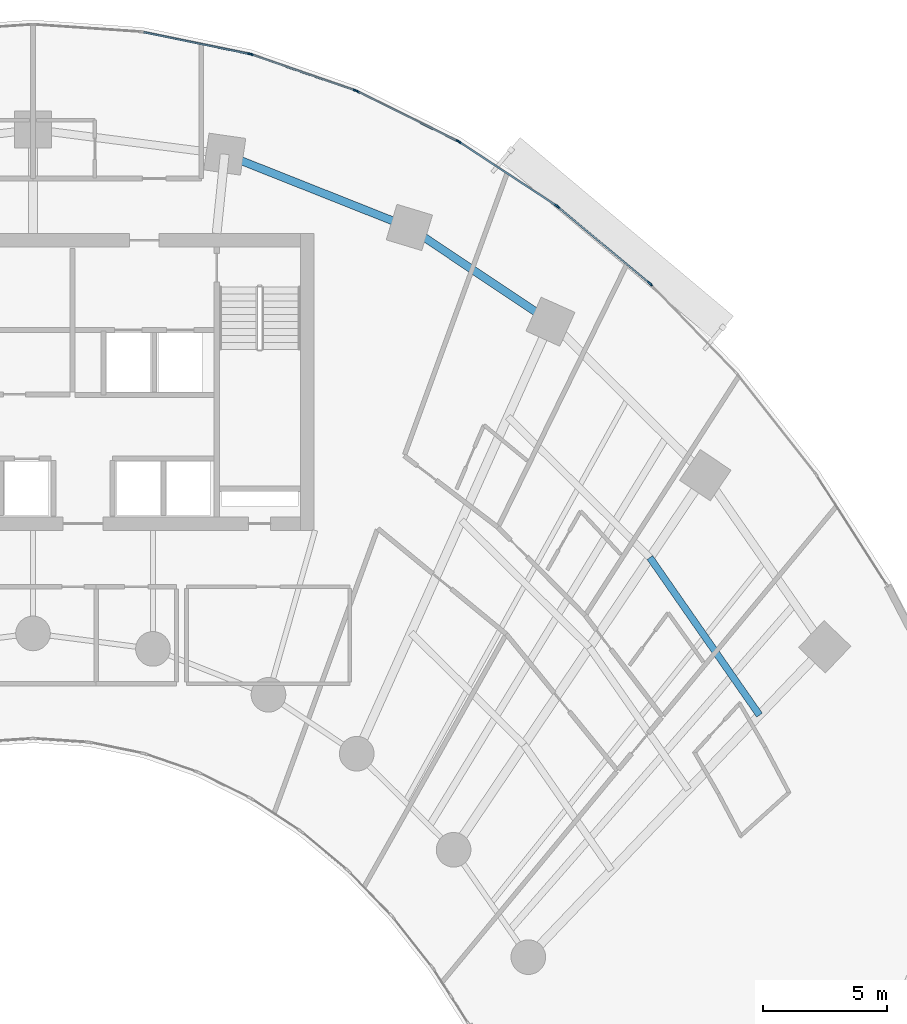
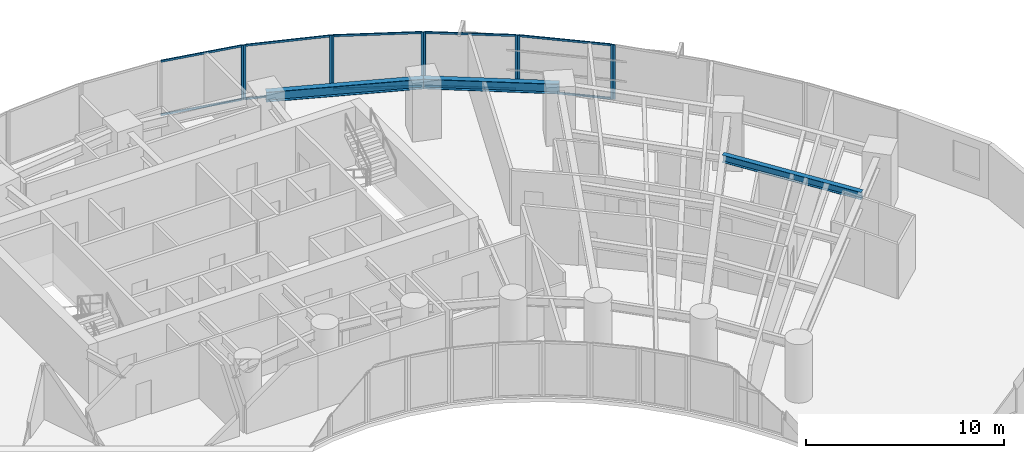
# One storey, part 7 of 17: 20 members, 3 beams, 6 elements without a shape of their own.
"""IFC4 building model written with IfcOpenShell, lengths in metres."""

from ifc_helpers import new_model, si_unit, direction, frame, origin, origin_2d, place, context, subcontext, project, spatial, rectangle, i_section, extrude, source, transform, mapped, material, layer, layer_set, material_profile, profile_set, type_object, element, aggregate, save


model = new_model("IFC4")

# Units and contexts
model_context = context("Model", 3, precision=1e-05, world=origin(), true_north=direction((0.0, 1.0)))
body_context = subcontext(model_context, "Body", "Model", "MODEL_VIEW")
ifc_project = project(units=[si_unit("LENGTHUNIT", "METRE"), si_unit("AREAUNIT", "SQUARE_METRE"), si_unit("VOLUMEUNIT", "CUBIC_METRE"), si_unit("PLANEANGLEUNIT", "RADIAN"), si_unit("MASSUNIT", "GRAM", prefix="KILO")], contexts=[model_context])

# Site, building, storey
site_placement = place(None, origin())
site = spatial("IfcSite", under=ifc_project, at=site_placement, CompositionType="ELEMENT")
building_placement = place(site_placement, origin())
building = spatial("IfcBuilding", under=site, at=building_placement, Name="Breltana Convention Tower", CompositionType="ELEMENT")
storey_placement = place(building_placement, frame((0.0, 0.0, 60.60009765625)))
storey = spatial("IfcBuildingStorey", under=building, at=storey_placement, Name="L13", CompositionType="ELEMENT", Elevation=60.60009765625)

# Beams
ifc_material_1 = material(Name="Steel ASTM A992 Grade 50", Category="steel")
ifc_material_profile_1 = material_profile(ifc_material_1, i_section(OverallWidth=0.323974609375, OverallDepth=0.611083984375, WebThickness=0.0126953125, FlangeThickness=0.01904296875, at=origin_2d()), Name="W24X104")
ifc_profile_set_1 = profile_set([ifc_material_profile_1], Name="Steel ASTM A992 Grade 50")
beam_type_1 = type_object("IfcBeamType", Name="BM-SP-W24X104", PredefinedType="SPANDREL", material=ifc_profile_set_1)
shared_shape_1 = source(origin(), body_context, "Body", "SweptSolid", [
    extrude(i_section(OverallWidth=0.323974609375, OverallDepth=0.611083984375, WebThickness=0.0126953125, FlangeThickness=0.01904296875, at=origin_2d()), origin(), (0.0, 0.0, 1.0), 8.028564453125),
])
beam_1_placement = place(storey_placement, frame((55.746826171875, 75.404296875, 3.054443359375), z_axis=(0.929459100394, -0.368925169507, 0.0), x_axis=(0.368925169507, 0.929459100394, 0.0)))
element("IfcBeam", 1, at=beam_1_placement, inside=storey, type_object=beam_type_1, Name="L13 Outer Spandrel Beam 07", PredefinedType="SPANDREL", context=body_context, shape_type="MappedRepresentation", body=[
    mapped(shared_shape_1, transform((0.0, 0.0, 0.0), scale=1.0)),
])
shared_shape_2 = source(origin(), body_context, "Body", "SweptSolid", [
    extrude(i_section(OverallWidth=0.323974609375, OverallDepth=0.611083984375, WebThickness=0.0126953125, FlangeThickness=0.01904296875, at=origin_2d()), origin(), (0.0, 0.0, 1.0), 6.856689453125),
])
beam_2_placement = place(storey_placement, frame((63.208984375, 72.4423828125, 3.054443359375), z_axis=(0.83150210718, -0.55552159792, 0.0), x_axis=(0.55552159792, 0.83150210718, 0.0)))
element("IfcBeam", 2, at=beam_2_placement, inside=storey, type_object=beam_type_1, Name="L13 Outer Spandrel Beam 08", PredefinedType="SPANDREL", context=body_context, shape_type="MappedRepresentation", body=[
    mapped(shared_shape_2, transform((0.0, 0.0, 0.0), scale=1.0)),
])
ifc_material_profile_2 = material_profile(ifc_material_1, i_section(OverallWidth=0.280029296875, OverallDepth=0.462890625, WebThickness=0.0107421875, FlangeThickness=0.017333984375, at=origin_2d()), Name="W18X76")
ifc_profile_set_2 = profile_set([ifc_material_profile_2], Name="Steel ASTM A992 Grade 50")
beam_type_2 = type_object("IfcBeamType", Name="BM-JSG-06", PredefinedType="JOIST", material=ifc_profile_set_2)
shared_shape_3 = source(origin(), body_context, "Body", "SweptSolid", [
    extrude(i_section(OverallWidth=0.280029296875, OverallDepth=0.462890625, WebThickness=0.0107421875, FlangeThickness=0.017333984375, at=origin_2d()), origin(), (0.0, 0.0, 1.0), 7.75390625),
])
beam_3_placement = place(storey_placement, frame((72.92919921875, 59.10009765625, 3.12841796875), z_axis=(0.57119271264, -0.820815987312, 0.0), x_axis=(0.820815987312, 0.57119271264, 0.0)))
element("IfcBeam", 3, at=beam_3_placement, inside=storey, type_object=beam_type_2, Name="L13 Composite Floor Joist 10.3", PredefinedType="JOIST", context=body_context, shape_type="MappedRepresentation", body=[
    mapped(shared_shape_3, transform((0.0, 0.0, 0.0), scale=1.0)),
])

# Curtain wall, members
ifc_material_2 = material(Name="Aluminium Anodised Bronze Frame", Category="aluminium")
ifc_layer = layer(ifc_material_2, 0.199951171875, Name="Aluminium Anodised Bronze Frame")
ifc_layer_set = layer_set([ifc_layer], Name="Aluminium Anodised Bronze Frame")
curtain_wall_type = type_object("IfcCurtainWallType", Name="CW-SYS-2", PredefinedType="NOTDEFINED", material=ifc_layer_set)
curtain_wall_1_placement = place(storey_placement, origin())
curtain_wall_1 = element("IfcCurtainWall", 4, at=curtain_wall_1_placement, inside=storey, type_object=curtain_wall_type, Name="L13 outer double-skin inner glazing 15", PredefinedType="NOTDEFINED")
ifc_material_3 = material(Name="Aluminium Anodised Bronze", Category="aluminium")
ifc_material_profile_3 = material_profile(ifc_material_3, rectangle(XDim=0.070068359375, YDim=0.1201171875, at=origin_2d()), Name="CWT-70X120")
ifc_profile_set_3 = profile_set([ifc_material_profile_3], Name="Aluminium Anodised Bronze")
member_type_1 = type_object("IfcMemberType", Name="CWT-120", PredefinedType="USERDEFINED", material=ifc_profile_set_3)
shared_shape_4 = source(origin(), body_context, "Body", "SweptSolid", [
    extrude(rectangle(XDim=0.070068359375, YDim=0.1201171875, at=origin_2d()), origin(), (0.0, 0.0, 1.0), 4.7509765625),
])
member_1_placement = place(storey_placement, frame((69.2294921875, 73.2607421875, 0.034912109375), z_axis=(0.767951631807, -0.64050783852, 0.0), x_axis=(0.64050783852, 0.767951631807, 0.0)))
member_1 = element("IfcMember", 5, at=member_1_placement, type_object=member_type_1, Name="CW-02 transom 1.1", ObjectType="TRANSOM", PredefinedType="USERDEFINED", context=body_context, shape_type="MappedRepresentation", body=[
    mapped(shared_shape_4, transform((0.0, 0.0, 0.0), scale=1.0)),
])
member_2_placement = place(storey_placement, frame((69.2294921875, 73.2607421875, 3.324951171875), z_axis=(0.767951631807, -0.64050783852, 0.0), x_axis=(0.64050783852, 0.767951631807, 0.0)))
member_2 = element("IfcMember", 6, at=member_2_placement, type_object=member_type_1, Name="CW-02 transom 1.2", ObjectType="TRANSOM", PredefinedType="USERDEFINED", context=body_context, shape_type="MappedRepresentation", body=[
    mapped(shared_shape_4, transform((0.0, 0.0, 0.0), scale=1.0)),
])

curtain_wall_2_placement = place(storey_placement, origin())
curtain_wall_2 = element("IfcCurtainWall", 7, at=curtain_wall_2_placement, inside=storey, type_object=curtain_wall_type, Name="L13 outer double-skin inner glazing 14", PredefinedType="NOTDEFINED")
shared_shape_5 = source(origin(), body_context, "Body", "SweptSolid", [
    extrude(rectangle(XDim=0.070068359375, YDim=0.1201171875, at=origin_2d()), origin(), (0.0, 0.0, 1.0), 4.610595703125),
])
member_3_placement = place(storey_placement, frame((65.262939453125, 75.874267578125, 0.034912109375), z_axis=(0.835956055104, -0.54879638659, 0.0), x_axis=(0.54879638659, 0.835956055104, 0.0)))
member_3 = element("IfcMember", 8, at=member_3_placement, type_object=member_type_1, Name="CW-02 transom 1.1", ObjectType="TRANSOM", PredefinedType="USERDEFINED", context=body_context, shape_type="MappedRepresentation", body=[
    mapped(shared_shape_5, transform((0.0, 0.0, 0.0), scale=1.0)),
])
member_4_placement = place(storey_placement, frame((65.262939453125, 75.874267578125, 3.324951171875), z_axis=(0.835956055104, -0.54879638659, 0.0), x_axis=(0.54879638659, 0.835956055104, 0.0)))
member_4 = element("IfcMember", 9, at=member_4_placement, type_object=member_type_1, Name="CW-02 transom 1.2", ObjectType="TRANSOM", PredefinedType="USERDEFINED", context=body_context, shape_type="MappedRepresentation", body=[
    mapped(shared_shape_5, transform((0.0, 0.0, 0.0), scale=1.0)),
])

curtain_wall_3_placement = place(storey_placement, origin())
curtain_wall_3 = element("IfcCurtainWall", 10, at=curtain_wall_3_placement, inside=storey, type_object=curtain_wall_type, Name="L13 outer double-skin inner glazing 13", PredefinedType="NOTDEFINED")
shared_shape_6 = source(origin(), body_context, "Body", "SweptSolid", [
    extrude(rectangle(XDim=0.070068359375, YDim=0.1201171875, at=origin_2d()), origin(), (0.0, 0.0, 1.0), 4.487548828125),
])
member_5_placement = place(storey_placement, frame((61.120849609375, 77.936767578125, 0.034912109375), z_axis=(0.895977728863, -0.444098986017, 0.0), x_axis=(0.444098986017, 0.895977728863, 0.0)))
member_5 = element("IfcMember", 11, at=member_5_placement, type_object=member_type_1, Name="CW-02 transom 1.1", ObjectType="TRANSOM", PredefinedType="USERDEFINED", context=body_context, shape_type="MappedRepresentation", body=[
    mapped(shared_shape_6, transform((0.0, 0.0, 0.0), scale=1.0)),
])
member_6_placement = place(storey_placement, frame((61.120849609375, 77.936767578125, 3.324951171875), z_axis=(0.895977728863, -0.444098986017, 0.0), x_axis=(0.444098986017, 0.895977728863, 0.0)))
member_6 = element("IfcMember", 12, at=member_6_placement, type_object=member_type_1, Name="CW-02 transom 1.2", ObjectType="TRANSOM", PredefinedType="USERDEFINED", context=body_context, shape_type="MappedRepresentation", body=[
    mapped(shared_shape_6, transform((0.0, 0.0, 0.0), scale=1.0)),
])

curtain_wall_4_placement = place(storey_placement, origin())
curtain_wall_4 = element("IfcCurtainWall", 13, at=curtain_wall_4_placement, inside=storey, type_object=curtain_wall_type, Name="L13 outer double-skin inner glazing 12", PredefinedType="NOTDEFINED")
shared_shape_7 = source(origin(), body_context, "Body", "SweptSolid", [
    extrude(rectangle(XDim=0.070068359375, YDim=0.1201171875, at=origin_2d()), origin(), (0.0, 0.0, 1.0), 4.38818359375),
])
member_7_placement = place(storey_placement, frame((56.845703125, 79.427490234375, 0.034912109375), z_axis=(0.944878203019, -0.32742202348, 0.0), x_axis=(0.32742202348, 0.944878203019, 0.0)))
member_7 = element("IfcMember", 14, at=member_7_placement, type_object=member_type_1, Name="CW-02 transom 1.1", ObjectType="TRANSOM", PredefinedType="USERDEFINED", context=body_context, shape_type="MappedRepresentation", body=[
    mapped(shared_shape_7, transform((0.0, 0.0, 0.0), scale=1.0)),
])
member_8_placement = place(storey_placement, frame((56.845703125, 79.427490234375, 3.324951171875), z_axis=(0.944878203019, -0.32742202348, 0.0), x_axis=(0.32742202348, 0.944878203019, 0.0)))
member_8 = element("IfcMember", 15, at=member_8_placement, type_object=member_type_1, Name="CW-02 transom 1.2", ObjectType="TRANSOM", PredefinedType="USERDEFINED", context=body_context, shape_type="MappedRepresentation", body=[
    mapped(shared_shape_7, transform((0.0, 0.0, 0.0), scale=1.0)),
])

curtain_wall_5_placement = place(storey_placement, origin())
curtain_wall_5 = element("IfcCurtainWall", 16, at=curtain_wall_5_placement, inside=storey, type_object=curtain_wall_type, Name="L13 outer double-skin inner glazing 11", PredefinedType="NOTDEFINED")
shared_shape_8 = source(origin(), body_context, "Body", "SweptSolid", [
    extrude(rectangle(XDim=0.070068359375, YDim=0.1201171875, at=origin_2d()), origin(), (0.0, 0.0, 1.0), 4.318359375),
])
member_9_placement = place(storey_placement, frame((52.480712890625, 80.33203125, 0.034912109375), z_axis=(0.979616680923, -0.200875977799, 0.0), x_axis=(0.200875977799, 0.979616680923, 0.0)))
member_9 = element("IfcMember", 17, at=member_9_placement, type_object=member_type_1, Name="CW-02 transom 1.1", ObjectType="TRANSOM", PredefinedType="USERDEFINED", context=body_context, shape_type="MappedRepresentation", body=[
    mapped(shared_shape_8, transform((0.0, 0.0, 0.0), scale=1.0)),
])
member_10_placement = place(storey_placement, frame((52.480712890625, 80.33203125, 3.324951171875), z_axis=(0.979616680923, -0.200875977799, 0.0), x_axis=(0.200875977799, 0.979616680923, 0.0)))
member_10 = element("IfcMember", 18, at=member_10_placement, type_object=member_type_1, Name="CW-02 transom 1.2", ObjectType="TRANSOM", PredefinedType="USERDEFINED", context=body_context, shape_type="MappedRepresentation", body=[
    mapped(shared_shape_8, transform((0.0, 0.0, 0.0), scale=1.0)),
])
ifc_material_profile_4 = material_profile(ifc_material_3, rectangle(XDim=0.070068359375, YDim=0.175048828125, at=origin_2d()), Name="CWM-70X175")
ifc_profile_set_4 = profile_set([ifc_material_profile_4], Name="Aluminium Anodised Bronze")
member_type_2 = type_object("IfcMemberType", Name="CWM-175", PredefinedType="MULLION", material=ifc_profile_set_4)
shared_shape_9 = source(origin(), body_context, "Body", "SweptSolid", [
    extrude(rectangle(XDim=0.070068359375, YDim=0.175048828125, at=origin_2d()), origin(), (0.0, 0.0, 1.0), 3.35986328125),
])
member_11_placement = place(storey_placement, frame((56.7451171875, 79.45751953125, 0.0), z_axis=(0.0, 0.0, 1.0), x_axis=(0.200884537139, 0.979614925743, 0.0)))
member_11 = element("IfcMember", 19, at=member_11_placement, type_object=member_type_2, Name="CW-02 mullion 2", PredefinedType="MULLION", context=body_context, shape_type="MappedRepresentation", body=[
    mapped(shared_shape_9, transform((0.0, 0.0, 0.0), scale=1.0)),
])
aggregate(curtain_wall_5, [member_11, member_9, member_10])

# Member
member_12_placement = place(storey_placement, frame((56.8125, 79.43896484375, 0.0), z_axis=(0.0, 0.0, 1.0), x_axis=(0.32742834581, 0.944876012163, 0.0)))
member_12 = element("IfcMember", 20, at=member_12_placement, type_object=member_type_2, Name="CW-02 mullion 1", PredefinedType="MULLION", context=body_context, shape_type="MappedRepresentation", body=[
    mapped(shared_shape_9, transform((0.0, 0.0, 0.0), scale=1.0)),
])

member_13_placement = place(storey_placement, frame((61.025146484375, 77.979248046875, 0.0), z_axis=(0.0, 0.0, 1.0), x_axis=(0.32742834581, 0.944876012163, 0.0)))
member_13 = element("IfcMember", 21, at=member_13_placement, type_object=member_type_2, Name="CW-02 mullion 2", PredefinedType="MULLION", context=body_context, shape_type="MappedRepresentation", body=[
    mapped(shared_shape_9, transform((0.0, 0.0, 0.0), scale=1.0)),
])

aggregate(curtain_wall_4, [member_12, member_13, member_7, member_8])

member_14_placement = place(storey_placement, frame((61.089599609375, 77.9521484375, 0.0), z_axis=(0.0, 0.0, 1.0), x_axis=(0.444107703726, 0.895973407804, 0.0)))
member_14 = element("IfcMember", 22, at=member_14_placement, type_object=member_type_2, Name="CW-02 mullion 1", PredefinedType="MULLION", context=body_context, shape_type="MappedRepresentation", body=[
    mapped(shared_shape_9, transform((0.0, 0.0, 0.0), scale=1.0)),
])

member_15_placement = place(storey_placement, frame((65.1728515625, 75.92822265625, 0.0), z_axis=(0.0, 0.0, 1.0), x_axis=(0.444107703726, 0.895973407804, 0.0)))
member_15 = element("IfcMember", 23, at=member_15_placement, type_object=member_type_2, Name="CW-02 mullion 2", PredefinedType="MULLION", context=body_context, shape_type="MappedRepresentation", body=[
    mapped(shared_shape_9, transform((0.0, 0.0, 0.0), scale=1.0)),
])

aggregate(curtain_wall_3, [member_14, member_15, member_5, member_6])

member_16_placement = place(storey_placement, frame((65.233642578125, 75.8935546875, 0.0), z_axis=(0.0, 0.0, 1.0), x_axis=(0.548784255746, 0.83596401875, 0.0)))
member_16 = element("IfcMember", 24, at=member_16_placement, type_object=member_type_2, Name="CW-02 mullion 1", PredefinedType="MULLION", context=body_context, shape_type="MappedRepresentation", body=[
    mapped(shared_shape_9, transform((0.0, 0.0, 0.0), scale=1.0)),
])

member_17_placement = place(storey_placement, frame((69.146484375, 73.32470703125, 0.0), z_axis=(0.0, 0.0, 1.0), x_axis=(0.548784255746, 0.83596401875, 0.0)))
member_17 = element("IfcMember", 25, at=member_17_placement, type_object=member_type_2, Name="CW-02 mullion 2", PredefinedType="MULLION", context=body_context, shape_type="MappedRepresentation", body=[
    mapped(shared_shape_9, transform((0.0, 0.0, 0.0), scale=1.0)),
])

aggregate(curtain_wall_2, [member_16, member_17, member_3, member_4])

member_18_placement = place(storey_placement, frame((69.20263671875, 73.283203125, 0.0), z_axis=(0.0, 0.0, 1.0), x_axis=(0.640520193554, 0.767941326958, 0.0)))
member_18 = element("IfcMember", 26, at=member_18_placement, type_object=member_type_2, Name="CW-02 mullion 1", PredefinedType="MULLION", context=body_context, shape_type="MappedRepresentation", body=[
    mapped(shared_shape_9, transform((0.0, 0.0, 0.0), scale=1.0)),
])

member_19_placement = place(storey_placement, frame((72.90478515625, 70.1953125, 0.0), z_axis=(0.0, 0.0, 1.0), x_axis=(0.640520193554, 0.767941326958, 0.0)))
member_19 = element("IfcMember", 27, at=member_19_placement, type_object=member_type_2, Name="CW-02 mullion 2", PredefinedType="MULLION", context=body_context, shape_type="MappedRepresentation", body=[
    mapped(shared_shape_9, transform((0.0, 0.0, 0.0), scale=1.0)),
])

aggregate(curtain_wall_1, [member_18, member_19, member_1, member_2])

# Curtain wall, member
curtain_wall_6_placement = place(storey_placement, origin())
curtain_wall_6 = element("IfcCurtainWall", 28, at=curtain_wall_6_placement, inside=storey, type_object=curtain_wall_type, Name="L13 outer double-skin inner glazing 16", PredefinedType="NOTDEFINED")
member_20_placement = place(storey_placement, frame((72.955810546875, 70.147705078125, 0.0), z_axis=(0.0, 0.0, 1.0), x_axis=(0.719386421003, 0.694610090106, 0.0)))
member_20 = element("IfcMember", 29, at=member_20_placement, type_object=member_type_2, Name="CW-02 mullion 1", PredefinedType="MULLION", context=body_context, shape_type="MappedRepresentation", body=[
    mapped(shared_shape_9, transform((0.0, 0.0, 0.0), scale=1.0)),
])
aggregate(curtain_wall_6, [member_20])

save(model, "model.ifc")
